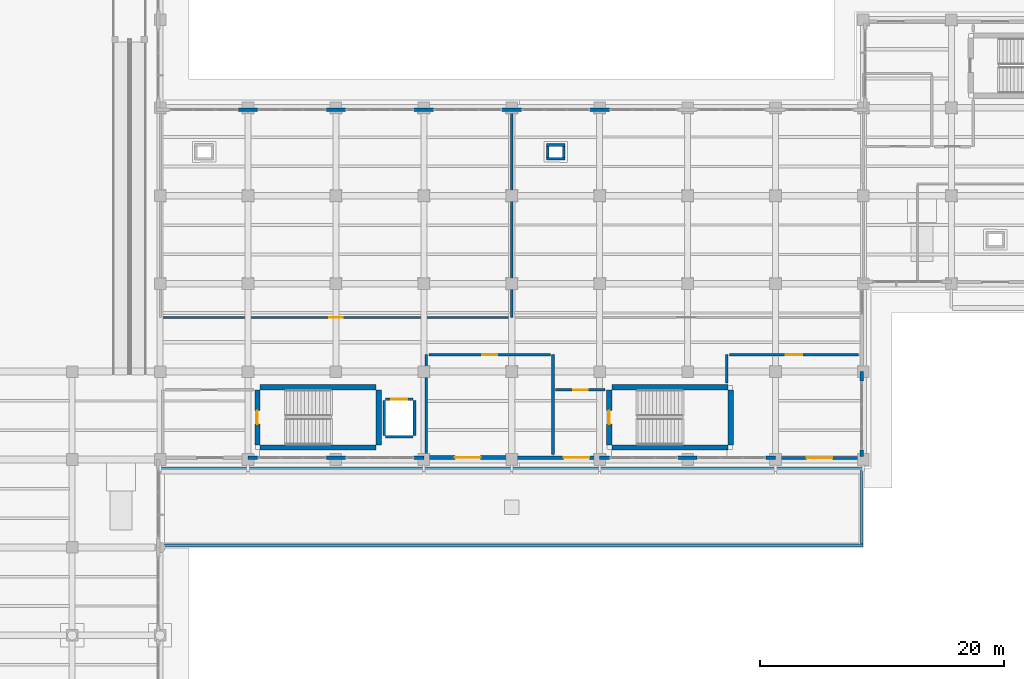
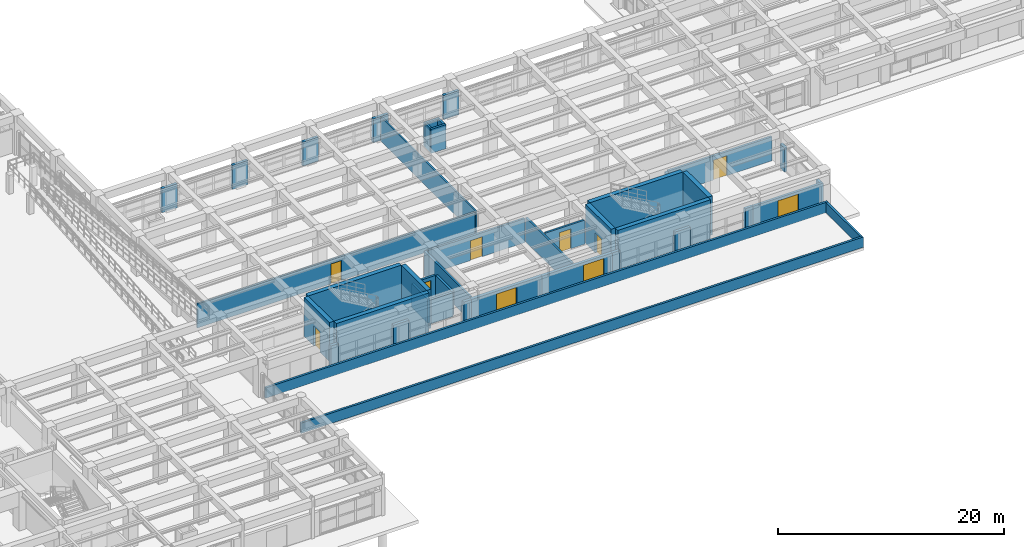
# One storey, part 42 of 64: 43 walls, 10 doors, 10 openings.
"""IFC4 building model written with IfcOpenShell, lengths in metres."""

from ifc_helpers import new_model, si_unit, direction, frame, frame_2d, origin, place, context, subcontext, project, spatial, rectangle, extrude, material, layer, layer_set, type_object, element, fill, save


model = new_model("IFC4")

# Units and contexts
model_context = context("Model", 3, precision=1e-05, world=origin(), true_north=direction((0.0, 1.0)))
body_context = subcontext(model_context, "Body", "Model", "MODEL_VIEW")
ifc_project = project(units=[si_unit("LENGTHUNIT", "METRE"), si_unit("AREAUNIT", "SQUARE_METRE"), si_unit("VOLUMEUNIT", "CUBIC_METRE"), si_unit("PLANEANGLEUNIT", "RADIAN"), si_unit("MASSUNIT", "GRAM", prefix="KILO")], contexts=[model_context])

# Site, building, storey
site_placement = place(None, origin())
site = spatial("IfcSite", under=ifc_project, at=site_placement, CompositionType="ELEMENT")
building_placement = place(site_placement, origin())
building = spatial("IfcBuilding", under=site, at=building_placement, Name="Solenvale Faculty of Natural Sciences", CompositionType="ELEMENT")
storey_placement = place(building_placement, origin())
storey = spatial("IfcBuildingStorey", under=building, at=storey_placement, Name="L00", CompositionType="ELEMENT", Elevation=0.0)

# Wall, opening, door
ifc_material_1 = material(Name="Precast concrete 40 MPa", Category="concrete")
ifc_layer_1 = layer(ifc_material_1, 0.2451171875)
ifc_layer_set_1 = layer_set([ifc_layer_1], Name="Precast concrete 40 MPa")
wall_type_1 = type_object("IfcWallType", Name="WL-EXT-PRC-245", PredefinedType="STANDARD", material=ifc_layer_set_1)
wall_1_placement = place(storey_placement, frame((115.199951171875, 21.722412109375, 0.0), z_axis=(0.0, 0.0, 1.0), x_axis=(-1.0, 0.0, 0.0)))
wall_1 = element("IfcWall", 1, at=wall_1_placement, inside=storey, type_object=wall_type_1, Name="L00 Exterior Wall 3.8", PredefinedType="STANDARD", context=body_context, shape_type="SweptSolid", body=[
    extrude(rectangle(XDim=7.199951171875, YDim=0.2451171875, at=frame_2d((3.60009765625, 0.0))), origin(), (0.0, 0.0, 1.0), 2.60009765625),
])
opening_1_placement = place(wall_1_placement, frame((2.550048828125, 0.0, 0.0)))
opening_1 = element("IfcOpeningElement", 2, at=opening_1_placement, cuts=wall_1, Name="Opening EX-04", PredefinedType="OPENING", context=body_context, shape_type="SweptSolid", body=[
    extrude(rectangle(XDim=2.10009765625, YDim=2.300048828125, at=frame_2d((1.050048828125, 1.14990234375))), frame((0.0, 0.132568359375, 0.0), z_axis=(0.0, -1.0, 0.0), x_axis=(1.0, 0.0, 0.0)), (0.0, 0.0, 1.0), 0.26513671875),
])
ifc_material_2 = material(Name="Anodised bronze aluminium", Category="aluminium")
door_type_1 = type_object("IfcDoorType", Name="DR-EXT-2100x2300", OperationType="NOTDEFINED", PredefinedType="DOOR", material=ifc_material_2)
door_1_placement = place(opening_1_placement, origin())
door_1 = element("IfcDoor", 3, at=door_1_placement, inside=storey, type_object=door_type_1, Name="L00 Exterior Exit Door EX-04", OperationType="DOUBLE_DOOR_SINGLE_SWING", OverallHeight=2.300048828125, OverallWidth=2.10009765625, PredefinedType="DOOR", context=body_context, shape_type="SweptSolid", body=[
    extrude(rectangle(XDim=2.10009765625, YDim=2.300048828125, at=frame_2d((1.050048828125, 1.14990234375))), frame((0.0, 0.02490234375, 0.0), z_axis=(0.0, -1.0, 0.0), x_axis=(1.0, 0.0, 0.0)), (0.0, 0.0, 1.0), 0.050048828125),
])
fill(opening_1, door_1)

# Walls
ifc_layer_2 = layer(ifc_material_1, 0.284912109375)
ifc_layer_set_2 = layer_set([ifc_layer_2], Name="Precast concrete 40 MPa")
wall_type_2 = type_object("IfcWallType", Name="WL-EXT-PRC-285", PredefinedType="STANDARD", material=ifc_layer_set_2)
wall_2_placement = place(storey_placement, frame((64.800048828125, 21.742431640625, 0.0), z_axis=(0.0, 0.0, 1.0), x_axis=(1.0, 0.0, 0.0)))
element("IfcWall", 4, at=wall_2_placement, inside=storey, type_object=wall_type_2, Name="L00 Facade Closure Pier 3.B2-L", PredefinedType="STANDARD", context=body_context, shape_type="SweptSolid", body=[
    extrude(rectangle(XDim=0.787841796875, YDim=0.284912109375, at=frame_2d((0.39404296875, 0.0))), origin(), (0.0, 0.0, 1.0), 2.60009765625),
])
wall_3_placement = place(storey_placement, frame((71.2119140625, 21.742431640625, 0.0), z_axis=(0.0, 0.0, 1.0), x_axis=(1.0, 0.0, 0.0)))
element("IfcWall", 5, at=wall_3_placement, inside=storey, type_object=wall_type_2, Name="L00 Facade Closure Pier 3.B2-R", PredefinedType="STANDARD", context=body_context, shape_type="SweptSolid", body=[
    extrude(rectangle(XDim=1.576171875, YDim=0.284912109375, at=frame_2d((0.7880859375, 0.0))), origin(), (0.0, 0.0, 1.0), 2.60009765625),
])
for number, where, z_axis, x_axis, name in (
    (6, (78.412109375, 21.742431640625, 0.0), (0.0, 0.0, 1.0), (1.0, 0.0, 0.0), "L00 Facade Closure Pier 3.B3-R"),
    (7, (93.60009765625, 21.742431640625, 0.0), (0.0, 0.0, 1.0), (1.0, 0.0, 0.0), "L00 Facade Closure Pier 3.B6-L"),
):
    element("IfcWall", number, at=place(storey_placement, frame(where, z_axis=z_axis, x_axis=x_axis)), inside=storey, type_object=wall_type_2, Name=name, PredefinedType="STANDARD", context=body_context, shape_type="SweptSolid", body=[
        extrude(rectangle(XDim=0.787841796875, YDim=0.284912109375, at=frame_2d((0.39404296875, 0.0))), origin(), (0.0, 0.0, 1.0), 2.60009765625),
    ])
wall_4_placement = place(storey_placement, frame((100.011962890625, 21.742431640625, 0.0), z_axis=(0.0, 0.0, 1.0), x_axis=(1.0, 0.0, 0.0)))
element("IfcWall", 8, at=wall_4_placement, inside=storey, type_object=wall_type_2, Name="L00 Facade Closure Pier 3.B6-R", PredefinedType="STANDARD", context=body_context, shape_type="SweptSolid", body=[
    extrude(rectangle(XDim=1.575927734375, YDim=0.284912109375, at=frame_2d((0.7880859375, 0.0))), origin(), (0.0, 0.0, 1.0), 2.60009765625),
])
wall_5_placement = place(storey_placement, frame((107.2119140625, 21.742431640625, 0.0), z_axis=(0.0, 0.0, 1.0), x_axis=(1.0, 0.0, 0.0)))
element("IfcWall", 9, at=wall_5_placement, inside=storey, type_object=wall_type_2, Name="L00 Facade Closure Pier 3.B7-R", PredefinedType="STANDARD", context=body_context, shape_type="SweptSolid", body=[
    extrude(rectangle(XDim=0.7880859375, YDim=0.284912109375, at=frame_2d((0.39404296875, 0.0))), origin(), (0.0, 0.0, 1.0), 2.60009765625),
])
wall_6_placement = place(storey_placement, frame((115.0576171875, 21.844970703125, 0.0), z_axis=(0.0, 0.0, 1.0), x_axis=(0.0, 1.0, 0.0)))
element("IfcWall", 10, at=wall_6_placement, inside=storey, type_object=wall_type_2, Name="L00 Facade Closure Pier 4.B1-L", PredefinedType="STANDARD", context=body_context, shape_type="SweptSolid", body=[
    extrude(rectangle(XDim=0.54296875, YDim=0.284912109375, at=frame_2d((0.271484375, 0.0))), origin(), (0.0, 0.0, 1.0), 2.60009765625),
])
wall_7_placement = place(storey_placement, frame((115.0576171875, 28.011962890625, 0.0), z_axis=(0.0, 0.0, 1.0), x_axis=(0.0, 1.0, 0.0)))
element("IfcWall", 11, at=wall_7_placement, inside=storey, type_object=wall_type_2, Name="L00 Facade Closure Pier 4.B1-R", PredefinedType="STANDARD", context=body_context, shape_type="SweptSolid", body=[
    extrude(rectangle(XDim=0.7880859375, YDim=0.284912109375, at=frame_2d((0.39404296875, 0.0))), origin(), (0.0, 0.0, 1.0), 2.60009765625),
])
for number, where, z_axis, x_axis, name in (
    (12, (94.387939453125, 50.257568359375, 0.0), (0.0, 0.0, 1.0), (-1.0, 0.0, 0.0), "L00 Facade Closure Pier 9.B3-R"),
    (13, (87.18798828125, 50.257568359375, 0.0), (0.0, 0.0, 1.0), (-1.0, 0.0, 0.0), "L00 Facade Closure Pier 9.B4-R"),
    (14, (79.988037109375, 50.257568359375, 0.0), (0.0, 0.0, 1.0), (-1.0, 0.0, 0.0), "L00 Facade Closure Pier 9.B5-R"),
):
    element("IfcWall", number, at=place(storey_placement, frame(where, z_axis=z_axis, x_axis=x_axis)), inside=storey, type_object=wall_type_2, Name=name, PredefinedType="STANDARD", context=body_context, shape_type="SweptSolid", body=[
        extrude(rectangle(XDim=1.575927734375, YDim=0.284912109375, at=frame_2d((0.7880859375, 0.0))), origin(), (0.0, 0.0, 1.0), 2.60009765625),
    ])
wall_8_placement = place(storey_placement, frame((72.7880859375, 50.257568359375, 0.0), z_axis=(0.0, 0.0, 1.0), x_axis=(-1.0, 0.0, 0.0)))
element("IfcWall", 15, at=wall_8_placement, inside=storey, type_object=wall_type_2, Name="L00 Facade Closure Pier 9.B6-R", PredefinedType="STANDARD", context=body_context, shape_type="SweptSolid", body=[
    extrude(rectangle(XDim=1.576171875, YDim=0.284912109375, at=frame_2d((0.7880859375, 0.0))), origin(), (0.0, 0.0, 1.0), 2.60009765625),
])
wall_9_placement = place(storey_placement, frame((65.587890625, 50.257568359375, 0.0), z_axis=(0.0, 0.0, 1.0), x_axis=(-1.0, 0.0, 0.0)))
element("IfcWall", 16, at=wall_9_placement, inside=storey, type_object=wall_type_2, Name="L00 Facade Closure Pier 9.B7-R", PredefinedType="STANDARD", context=body_context, shape_type="SweptSolid", body=[
    extrude(rectangle(XDim=1.575927734375, YDim=0.284912109375, at=frame_2d((0.7880859375, 0.0))), origin(), (0.0, 0.0, 1.0), 2.60009765625),
])

# Wall, opening, door
ifc_layer_3 = layer(ifc_material_1, 0.304931640625)
ifc_layer_set_3 = layer_set([ifc_layer_3], Name="Precast concrete 40 MPa")
wall_type_3 = type_object("IfcWallType", Name="WL-EXT-PRC-305", PredefinedType="STANDARD", material=ifc_layer_set_3)
wall_10_placement = place(storey_placement, frame((93.60009765625, 21.75244140625, 0.0), z_axis=(0.0, 0.0, 1.0), x_axis=(-1.0, 0.0, 0.0)))
wall_10 = element("IfcWall", 17, at=wall_10_placement, inside=storey, type_object=wall_type_3, Name="L00 Exterior Wall 3.5", PredefinedType="STANDARD", context=body_context, shape_type="SweptSolid", body=[
    extrude(rectangle(XDim=7.2001953125, YDim=0.304931640625, at=frame_2d((3.60009765625, 0.0))), origin(), (0.0, 0.0, 1.0), 2.60009765625),
])
opening_2_placement = place(wall_10_placement, frame((0.85009765625, 0.0, 0.0)))
opening_2 = element("IfcOpeningElement", 18, at=opening_2_placement, cuts=wall_10, Name="Opening EX-03", PredefinedType="OPENING", context=body_context, shape_type="SweptSolid", body=[
    extrude(rectangle(XDim=2.10009765625, YDim=2.300048828125, at=frame_2d((1.050048828125, 1.14990234375))), frame((0.0, 0.162353515625, 0.0), z_axis=(0.0, -1.0, 0.0), x_axis=(1.0, 0.0, 0.0)), (0.0, 0.0, 1.0), 0.324951171875),
])
door_2_placement = place(opening_2_placement, origin())
door_2 = element("IfcDoor", 19, at=door_2_placement, inside=storey, type_object=door_type_1, Name="L00 Exterior Exit Door EX-03", OperationType="DOUBLE_DOOR_SINGLE_SWING", OverallHeight=2.300048828125, OverallWidth=2.10009765625, PredefinedType="DOOR", context=body_context, shape_type="SweptSolid", body=[
    extrude(rectangle(XDim=2.10009765625, YDim=2.300048828125, at=frame_2d((1.050048828125, 1.14990234375))), frame((0.0, 0.02490234375, 0.0), z_axis=(0.0, -1.0, 0.0), x_axis=(1.0, 0.0, 0.0)), (0.0, 0.0, 1.0), 0.050048828125),
])
fill(opening_2, door_2)

ifc_layer_4 = layer(ifc_material_1, 0.330078125)
ifc_layer_set_4 = layer_set([ifc_layer_4], Name="Precast concrete 40 MPa")
wall_type_4 = type_object("IfcWallType", Name="WL-EXT-PRC-330", PredefinedType="STANDARD", material=ifc_layer_set_4)
wall_11_placement = place(storey_placement, frame((86.39990234375, 21.764892578125, 0.0), z_axis=(0.0, 0.0, 1.0), x_axis=(-1.0, 0.0, 0.0)))
wall_11 = element("IfcWall", 20, at=wall_11_placement, inside=storey, type_object=wall_type_4, Name="L00 Exterior Wall 3.4", PredefinedType="STANDARD", context=body_context, shape_type="SweptSolid", body=[
    extrude(rectangle(XDim=7.199951171875, YDim=0.330078125, at=frame_2d((3.60009765625, 0.0))), origin(), (0.0, 0.0, 1.0), 2.60009765625),
])
opening_3_placement = place(wall_11_placement, frame((2.550048828125, 0.0, 0.0)))
opening_3 = element("IfcOpeningElement", 21, at=opening_3_placement, cuts=wall_11, Name="Opening EX-02", PredefinedType="OPENING", context=body_context, shape_type="SweptSolid", body=[
    extrude(rectangle(XDim=2.10009765625, YDim=2.300048828125, at=frame_2d((1.050048828125, 1.14990234375))), frame((0.0, 0.175048828125, 0.0), z_axis=(0.0, -1.0, 0.0), x_axis=(1.0, 0.0, 0.0)), (0.0, 0.0, 1.0), 0.35009765625),
])
door_3_placement = place(opening_3_placement, origin())
door_3 = element("IfcDoor", 22, at=door_3_placement, inside=storey, type_object=door_type_1, Name="L00 Exterior Exit Door EX-02", OperationType="DOUBLE_DOOR_SINGLE_SWING", OverallHeight=2.300048828125, OverallWidth=2.10009765625, PredefinedType="DOOR", context=body_context, shape_type="SweptSolid", body=[
    extrude(rectangle(XDim=2.10009765625, YDim=2.300048828125, at=frame_2d((1.050048828125, 1.14990234375))), frame((0.0, 0.02490234375, 0.0), z_axis=(0.0, -1.0, 0.0), x_axis=(1.0, 0.0, 0.0)), (0.0, 0.0, 1.0), 0.050048828125),
])
fill(opening_3, door_3)

ifc_material_3 = material(Name="Gypsum fire-rated shaftwall")
ifc_layer_5 = layer(ifc_material_3, 0.205078125)
ifc_layer_set_5 = layer_set([ifc_layer_5], Name="Gypsum fire-rated shaftwall")
wall_type_5 = type_object("IfcWallType", Name="WL-FFL-205", PredefinedType="PARTITIONING", material=ifc_layer_set_5)
wall_12_placement = place(storey_placement, frame((90.0009765625, 27.300048828125, 0.0), z_axis=(0.0, 0.0, 1.0), x_axis=(1.0, 0.0, 0.0)))
wall_12 = element("IfcWall", 23, at=wall_12_placement, inside=storey, type_object=wall_type_5, Name="L00 Protected Exit Vestibule ST-07 Partition 4", PredefinedType="PARTITIONING", context=body_context, shape_type="SweptSolid", body=[
    extrude(rectangle(XDim=4.0439453125, YDim=0.205078125, at=frame_2d((2.02197265625, 0.0))), origin(), (0.0, 0.0, 1.0), 2.60009765625),
])
opening_4_placement = place(wall_12_placement, frame((1.422119140625, 0.0, 0.0)))
opening_4 = element("IfcOpeningElement", 24, at=opening_4_placement, cuts=wall_12, Name="Opening D-L00-31", PredefinedType="OPENING", context=body_context, shape_type="SweptSolid", body=[
    extrude(rectangle(XDim=1.199951171875, YDim=2.14990234375, at=frame_2d((0.60009765625, 1.074951171875))), frame((0.0, 0.112548828125, 0.0), z_axis=(0.0, -1.0, 0.0), x_axis=(1.0, 0.0, 0.0)), (0.0, 0.0, 1.0), 0.22509765625),
])
ifc_material_4 = material(Name="Galvanised steel S355", Category="steel")
door_type_2 = type_object("IfcDoorType", Name="DR-FFL-1200x2150", OperationType="NOTDEFINED", PredefinedType="DOOR", material=ifc_material_4)
door_4_placement = place(opening_4_placement, origin())
door_4 = element("IfcDoor", 25, at=door_4_placement, inside=storey, type_object=door_type_2, Name="L00 Protected Exit Vestibule ST-07 Door", OperationType="SINGLE_SWING_LEFT", OverallHeight=2.14990234375, OverallWidth=1.199951171875, PredefinedType="DOOR", context=body_context, shape_type="SweptSolid", body=[
    extrude(rectangle(XDim=1.199951171875, YDim=2.14990234375, at=frame_2d((0.60009765625, 1.074951171875))), frame((0.0, 0.02490234375, 0.0), z_axis=(0.0, -1.0, 0.0), x_axis=(1.0, 0.0, 0.0)), (0.0, 0.0, 1.0), 0.050048828125),
])
fill(opening_4, door_4)

# Walls
ifc_material_5 = material(Name="Gypsum fire-rated laboratory partition")
ifc_layer_6 = layer(ifc_material_5, 0.2119140625)
ifc_layer_set_6 = layer_set([ifc_layer_6], Name="Gypsum fire-rated laboratory partition")
wall_type_6 = type_object("IfcWallType", Name="WL-LAB-212", PredefinedType="PARTITIONING", material=ifc_layer_set_6)
wall_13_placement = place(storey_placement, frame((89.780029296875, 30.179931640625, 0.0), z_axis=(0.0, 0.0, 1.0), x_axis=(0.0, -1.0, 0.0)))
element("IfcWall", 26, at=wall_13_placement, inside=storey, type_object=wall_type_6, Name="L00 General Chemistry Teaching Laboratory Partition 1", PredefinedType="PARTITIONING", context=body_context, shape_type="SweptSolid", body=[
    extrude(rectangle(XDim=8.156982421875, YDim=0.2119140625, at=frame_2d((4.07861328125, 0.0))), origin(), (0.0, 0.0, 1.0), 2.60009765625),
])
wall_14_placement = place(storey_placement, frame((79.39990234375, 22.048095703125, 0.0), z_axis=(0.0, 0.0, 1.0), x_axis=(0.0, 1.0, 0.0)))
element("IfcWall", 27, at=wall_14_placement, inside=storey, type_object=wall_type_6, Name="L00 General Chemistry Teaching Laboratory Partition 3", PredefinedType="PARTITIONING", context=body_context, shape_type="SweptSolid", body=[
    extrude(rectangle(XDim=8.1318359375, YDim=0.2119140625, at=frame_2d((4.06591796875, 0.0))), origin(), (0.0, 0.0, 1.0), 2.60009765625),
])

# Wall, opening, door
wall_15_placement = place(storey_placement, frame((79.6240234375, 30.179931640625, 0.0), z_axis=(0.0, 0.0, 1.0), x_axis=(1.0, 0.0, 0.0)))
wall_15 = element("IfcWall", 28, at=wall_15_placement, inside=storey, type_object=wall_type_6, Name="L00 General Chemistry Teaching Laboratory Partition 4", PredefinedType="PARTITIONING", context=body_context, shape_type="SweptSolid", body=[
    extrude(rectangle(XDim=9.931884765625, YDim=0.2119140625, at=frame_2d((4.9658203125, 0.0))), origin(), (0.0, 0.0, 1.0), 2.60009765625),
])
opening_5_placement = place(wall_15_placement, frame((4.341064453125, 0.0, 0.0)))
opening_5 = element("IfcOpeningElement", 29, at=opening_5_placement, cuts=wall_15, Name="Opening D-L00-10", PredefinedType="OPENING", context=body_context, shape_type="SweptSolid", body=[
    extrude(rectangle(XDim=1.25, YDim=2.14990234375, at=frame_2d((0.625, 1.074951171875))), frame((0.0, 0.115966796875, 0.0), z_axis=(0.0, -1.0, 0.0), x_axis=(1.0, 0.0, 0.0)), (0.0, 0.0, 1.0), 0.23193359375),
])
ifc_material_6 = material(Name="Oak acoustic timber leaf", Category="wood")
door_type_3 = type_object("IfcDoorType", Name="DR-LAB-1250x2150", OperationType="NOTDEFINED", PredefinedType="DOOR", material=ifc_material_6)
door_5_placement = place(opening_5_placement, origin())
door_5 = element("IfcDoor", 30, at=door_5_placement, inside=storey, type_object=door_type_3, Name="L00 General Chemistry Teaching Laboratory Door", OperationType="SINGLE_SWING_RIGHT", OverallHeight=2.14990234375, OverallWidth=1.25, PredefinedType="DOOR", context=body_context, shape_type="SweptSolid", body=[
    extrude(rectangle(XDim=1.25, YDim=2.14990234375, at=frame_2d((0.625, 1.074951171875))), frame((0.0, 0.02490234375, 0.0), z_axis=(0.0, -1.0, 0.0), x_axis=(1.0, 0.0, 0.0)), (0.0, 0.0, 1.0), 0.050048828125),
])
fill(opening_5, door_5)

# Wall
ifc_layer_7 = layer(ifc_material_5, 0.22802734375)
ifc_layer_set_7 = layer_set([ifc_layer_7], Name="Gypsum fire-rated laboratory partition")
wall_type_7 = type_object("IfcWallType", Name="WL-LAB-228", PredefinedType="PARTITIONING", material=ifc_layer_set_7)
wall_16_placement = place(storey_placement, frame((104.0, 27.865966796875, 0.0), z_axis=(0.0, 0.0, 1.0), x_axis=(0.0, 1.0, 0.0)))
element("IfcWall", 31, at=wall_16_placement, inside=storey, type_object=wall_type_7, Name="L00 Analytical Chemistry Laboratory Partition 39", PredefinedType="PARTITIONING", context=body_context, shape_type="SweptSolid", body=[
    extrude(rectangle(XDim=2.31396484375, YDim=0.22802734375, at=frame_2d((1.156982421875, 0.0))), origin(), (0.0, 0.0, 1.0), 2.60009765625),
])

# Wall, opening, door
wall_17_placement = place(storey_placement, frame((104.239990234375, 30.179931640625, 0.0), z_axis=(0.0, 0.0, 1.0), x_axis=(1.0, 0.0, 0.0)))
wall_17 = element("IfcWall", 32, at=wall_17_placement, inside=storey, type_object=wall_type_7, Name="L00 Analytical Chemistry Laboratory Partition 40", PredefinedType="PARTITIONING", context=body_context, shape_type="SweptSolid", body=[
    extrude(rectangle(XDim=10.569091796875, YDim=0.22802734375, at=frame_2d((5.28466796875, 0.0))), origin(), (0.0, 0.0, 1.0), 2.60009765625),
])
opening_6_placement = place(wall_17_placement, frame((4.610107421875, 0.0, 0.0)))
opening_6 = element("IfcOpeningElement", 33, at=opening_6_placement, cuts=wall_17, Name="Opening D-L00-11", PredefinedType="OPENING", context=body_context, shape_type="SweptSolid", body=[
    extrude(rectangle(XDim=1.35009765625, YDim=2.14990234375, at=frame_2d((0.675048828125, 1.074951171875))), frame((0.0, 0.1240234375, 0.0), z_axis=(0.0, -1.0, 0.0), x_axis=(1.0, 0.0, 0.0)), (0.0, 0.0, 1.0), 0.248046875),
])
door_type_4 = type_object("IfcDoorType", Name="DR-LAB-1350x2150", OperationType="NOTDEFINED", PredefinedType="DOOR", material=ifc_material_6)
door_6_placement = place(opening_6_placement, origin())
door_6 = element("IfcDoor", 34, at=door_6_placement, inside=storey, type_object=door_type_4, Name="L00 Analytical Chemistry Laboratory Door", OperationType="SINGLE_SWING_LEFT", OverallHeight=2.14990234375, OverallWidth=1.35009765625, PredefinedType="DOOR", context=body_context, shape_type="SweptSolid", body=[
    extrude(rectangle(XDim=1.35009765625, YDim=2.14990234375, at=frame_2d((0.675048828125, 1.074951171875))), frame((0.0, 0.02490234375, 0.0), z_axis=(0.0, -1.0, 0.0), x_axis=(1.0, 0.0, 0.0)), (0.0, 0.0, 1.0), 0.050048828125),
])
fill(opening_6, door_6)

# Walls
ifc_layer_8 = layer(ifc_material_1, 0.219970703125)
ifc_layer_set_8 = layer_set([ifc_layer_8], Name="Precast concrete 40 MPa")
wall_type_8 = type_object("IfcWallType", Name="WL-PAR-PRC-220", PredefinedType="PARAPET", material=ifc_layer_set_8)
wall_18_placement = place(storey_placement, frame((57.639892578125, 20.830078125, 0.0), z_axis=(0.0, 0.0, 1.0), x_axis=(1.0, 0.0, 0.0)))
element("IfcWall", 35, at=wall_18_placement, inside=storey, type_object=wall_type_8, Name="L00 Roof Parapet 1.2", PredefinedType="PARAPET", context=body_context, shape_type="SweptSolid", body=[
    extrude(rectangle(XDim=57.52001953125, YDim=0.219970703125, at=frame_2d((28.760009765625, 0.0))), origin(), (0.0, 0.0, 1.0), 1.1201171875),
])
wall_19_placement = place(storey_placement, frame((115.050048828125, 20.719970703125, 0.0), z_axis=(0.0, 0.0, 1.0), x_axis=(0.0, -1.0, 0.0)))
element("IfcWall", 36, at=wall_19_placement, inside=storey, type_object=wall_type_8, Name="L00 Roof Parapet 1.3", PredefinedType="PARAPET", context=body_context, shape_type="SweptSolid", body=[
    extrude(rectangle(XDim=6.06005859375, YDim=0.219970703125, at=frame_2d((3.030029296875, 0.0))), origin(), (0.0, 0.0, 1.0), 1.1201171875),
])
wall_20_placement = place(storey_placement, frame((115.159912109375, 14.550048828125, 0.0), z_axis=(0.0, 0.0, 1.0), x_axis=(-1.0, 0.0, 0.0)))
element("IfcWall", 37, at=wall_20_placement, inside=storey, type_object=wall_type_8, Name="L00 Roof Parapet 1.4", PredefinedType="PARAPET", context=body_context, shape_type="SweptSolid", body=[
    extrude(rectangle(XDim=57.52001953125, YDim=0.219970703125, at=frame_2d((28.760009765625, 0.0))), origin(), (0.0, 0.0, 1.0), 1.1201171875),
])
ifc_material_7 = material(Name="Acoustic double-stud gypsum partition")
ifc_layer_9 = layer(ifc_material_7, 0.1650390625)
ifc_layer_set_9 = layer_set([ifc_layer_9], Name="Acoustic double-stud gypsum partition")
wall_type_9 = type_object("IfcWallType", Name="WL-SEM-165", PredefinedType="PARTITIONING", material=ifc_layer_set_9)
wall_21_placement = place(storey_placement, frame((86.39990234375, 50.02099609375, 0.0), z_axis=(0.0, 0.0, 1.0), x_axis=(0.0, -1.0, 0.0)))
element("IfcWall", 38, at=wall_21_placement, inside=storey, type_object=wall_type_9, Name="L00 Seminar Room Partition 3", PredefinedType="PARTITIONING", context=body_context, shape_type="SweptSolid", body=[
    extrude(rectangle(XDim=16.801025390625, YDim=0.1650390625, at=frame_2d((8.400390625, 0.0))), origin(), (0.0, 0.0, 1.0), 2.60009765625),
])

# Wall, opening, door
wall_22_placement = place(storey_placement, frame((86.222900390625, 33.219970703125, 0.0), z_axis=(0.0, 0.0, 1.0), x_axis=(-1.0, 0.0, 0.0)))
wall_22 = element("IfcWall", 39, at=wall_22_placement, inside=storey, type_object=wall_type_9, Name="L00 Seminar Room Partition 4", PredefinedType="PARTITIONING", context=body_context, shape_type="SweptSolid", body=[
    extrude(rectangle(XDim=28.42578125, YDim=0.1650390625, at=frame_2d((14.212890625, 0.0))), origin(), (0.0, 0.0, 1.0), 2.60009765625),
])
opening_7_placement = place(wall_22_placement, frame((13.673095703125, 0.0, 0.0)))
opening_7 = element("IfcOpeningElement", 40, at=opening_7_placement, cuts=wall_22, Name="Opening D-L00-12", PredefinedType="OPENING", context=body_context, shape_type="SweptSolid", body=[
    extrude(rectangle(XDim=1.080078125, YDim=2.14990234375, at=frame_2d((0.5400390625, 1.074951171875))), frame((0.0, 0.092529296875, 0.0), z_axis=(0.0, -1.0, 0.0), x_axis=(1.0, 0.0, 0.0)), (0.0, 0.0, 1.0), 0.18505859375),
])
door_type_5 = type_object("IfcDoorType", Name="DR-SEM-1080x2150", OperationType="NOTDEFINED", PredefinedType="DOOR", material=ifc_material_6)
door_7_placement = place(opening_7_placement, origin())
door_7 = element("IfcDoor", 41, at=door_7_placement, inside=storey, type_object=door_type_5, Name="L00 Seminar Room Door", OperationType="SINGLE_SWING_RIGHT", OverallHeight=2.14990234375, OverallWidth=1.080078125, PredefinedType="DOOR", context=body_context, shape_type="SweptSolid", body=[
    extrude(rectangle(XDim=1.080078125, YDim=2.14990234375, at=frame_2d((0.5400390625, 1.074951171875))), frame((0.0, 0.02490234375, 0.0), z_axis=(0.0, -1.0, 0.0), x_axis=(1.0, 0.0, 0.0)), (0.0, 0.0, 1.0), 0.050048828125),
])
fill(opening_7, door_7)

# Wall
ifc_material_8 = material(Name="Concrete 40 MPa", Category="concrete")
ifc_layer_10 = layer(ifc_material_8, 0.219970703125)
ifc_layer_set_10 = layer_set([ifc_layer_10], Name="Concrete 40 MPa")
wall_type_10 = type_object("IfcWallType", Name="WL-SHF-220", PredefinedType="STANDARD", material=ifc_layer_set_10)
wall_23_placement = place(storey_placement, frame((76.080078125, 23.469970703125, 0.0), z_axis=(0.0, 0.0, 1.0), x_axis=(1.0, 0.0, 0.0)))
element("IfcWall", 42, at=wall_23_placement, inside=storey, type_object=wall_type_10, Name="Elevator LG-01 L00 Shaft Wall S", PredefinedType="STANDARD", context=body_context, shape_type="SweptSolid", body=[
    extrude(rectangle(XDim=2.239990234375, YDim=0.219970703125, at=frame_2d((1.1201171875, 0.0))), origin(), (0.0, 0.0, 1.0), 2.60009765625),
])

# Wall, opening, door
wall_24_placement = place(storey_placement, frame((76.080078125, 26.530029296875, 0.0), z_axis=(0.0, 0.0, 1.0), x_axis=(1.0, 0.0, 0.0)))
wall_24 = element("IfcWall", 43, at=wall_24_placement, inside=storey, type_object=wall_type_10, Name="Elevator LG-01 L00 Shaft Wall N", PredefinedType="STANDARD", context=body_context, shape_type="SweptSolid", body=[
    extrude(rectangle(XDim=2.239990234375, YDim=0.219970703125, at=frame_2d((1.1201171875, 0.0))), origin(), (0.0, 0.0, 1.0), 2.60009765625),
])
opening_8_placement = place(wall_24_placement, frame((0.469970703125, 0.0, 0.0)))
opening_8 = element("IfcOpeningElement", 44, at=opening_8_placement, cuts=wall_24, Name="Opening LD-LG-01-L00", PredefinedType="OPENING", context=body_context, shape_type="SweptSolid", body=[
    extrude(rectangle(XDim=1.300048828125, YDim=2.199951171875, at=frame_2d((0.64990234375, 1.10009765625))), frame((0.0, 0.119873046875, 0.0), z_axis=(0.0, -1.0, 0.0), x_axis=(1.0, 0.0, 0.0)), (0.0, 0.0, 1.0), 0.239990234375),
])
ifc_material_9 = material(Name="Stainless steel Grade 304", Category="steel")
door_type_6 = type_object("IfcDoorType", Name="DR-LIFT-1300x2200", OperationType="NOTDEFINED", PredefinedType="DOOR", material=ifc_material_9)
door_8_placement = place(opening_8_placement, origin())
door_8 = element("IfcDoor", 45, at=door_8_placement, inside=storey, type_object=door_type_6, Name="Elevator LG-01 L00 Sliding Landing Door", OperationType="SLIDING_TO_RIGHT", OverallHeight=2.199951171875, OverallWidth=1.300048828125, PredefinedType="DOOR", context=body_context, shape_type="SweptSolid", body=[
    extrude(rectangle(XDim=1.300048828125, YDim=2.199951171875, at=frame_2d((0.64990234375, 1.10009765625))), frame((0.0, 0.02490234375, 0.0), z_axis=(0.0, -1.0, 0.0), x_axis=(1.0, 0.0, 0.0)), (0.0, 0.0, 1.0), 0.050048828125),
])
fill(opening_8, door_8)

# Walls
for number, where, z_axis, x_axis, name in (
    (46, (75.969970703125, 23.580078125, 0.0), (0.0, 0.0, 1.0), (0.0, 1.0, 0.0), "Elevator LG-01 L00 Shaft Wall W"),
    (47, (78.429931640625, 23.580078125, 0.0), (0.0, 0.0, 1.0), (0.0, 1.0, 0.0), "Elevator LG-01 L00 Shaft Wall E"),
):
    element("IfcWall", number, at=place(storey_placement, frame(where, z_axis=z_axis, x_axis=x_axis)), inside=storey, type_object=wall_type_10, Name=name, PredefinedType="STANDARD", context=body_context, shape_type="SweptSolid", body=[
        extrude(rectangle(XDim=2.83984375, YDim=0.219970703125, at=frame_2d((1.419921875, 0.0))), origin(), (0.0, 0.0, 1.0), 2.60009765625),
    ])
for number, where, z_axis, x_axis, name in (
    (48, (89.22998046875, 46.239990234375, 0.0), (0.0, 0.0, 1.0), (1.0, 0.0, 0.0), "L00 Service Riser Shaft 6 Wall S"),
    (49, (89.22998046875, 47.360107421875, 0.0), (0.0, 0.0, 1.0), (1.0, 0.0, 0.0), "L00 Service Riser Shaft 6 Wall N"),
):
    element("IfcWall", number, at=place(storey_placement, frame(where, z_axis=z_axis, x_axis=x_axis)), inside=storey, type_object=wall_type_10, Name=name, PredefinedType="STANDARD", context=body_context, shape_type="SweptSolid", body=[
        extrude(rectangle(XDim=1.5400390625, YDim=0.219970703125, at=frame_2d((0.77001953125, 0.0))), origin(), (0.0, 0.0, 1.0), 2.60009765625),
    ])
for number, where, z_axis, x_axis, name in (
    (50, (89.340087890625, 46.35009765625, 0.0), (0.0, 0.0, 1.0), (0.0, 1.0, 0.0), "L00 Service Riser Shaft 6 Wall W"),
    (51, (90.659912109375, 46.35009765625, 0.0), (0.0, 0.0, 1.0), (0.0, 1.0, 0.0), "L00 Service Riser Shaft 6 Wall E"),
):
    element("IfcWall", number, at=place(storey_placement, frame(where, z_axis=z_axis, x_axis=x_axis)), inside=storey, type_object=wall_type_10, Name=name, PredefinedType="STANDARD", context=body_context, shape_type="SweptSolid", body=[
        extrude(rectangle(XDim=0.89990234375, YDim=0.219970703125, at=frame_2d((0.449951171875, 0.0))), origin(), (0.0, 0.0, 1.0), 2.60009765625),
    ])
ifc_material_10 = material(Name="Concrete 50 MPa", Category="concrete")
ifc_layer_11 = layer(ifc_material_10, 0.43994140625)
ifc_layer_set_11 = layer_set([ifc_layer_11], Name="Concrete 50 MPa")
wall_type_11 = type_object("IfcWallType", Name="WL-SHR-440", PredefinedType="SHEAR", material=ifc_layer_set_11)
for number, where, z_axis, x_axis, name in (
    (52, (65.800048828125, 22.580078125, 0.0), (0.0, 0.0, 1.0), (1.0, 0.0, 0.0), "Core C3 L00 Shear Wall S"),
    (53, (65.800048828125, 27.52001953125, 0.0), (0.0, 0.0, 1.0), (1.0, 0.0, 0.0), "Core C3 L00 Shear Wall N"),
):
    element("IfcWall", number, at=place(storey_placement, frame(where, z_axis=z_axis, x_axis=x_axis)), inside=storey, type_object=wall_type_11, Name=name, PredefinedType="SHEAR", context=body_context, shape_type="SweptSolid", body=[
        extrude(rectangle(XDim=9.5, YDim=0.43994140625, at=frame_2d((4.75, 0.0))), origin(), (0.0, 0.0, 1.0), 4.219970703125),
    ])

# Wall, opening, door
wall_25_placement = place(storey_placement, frame((65.580078125, 22.800048828125, 0.0), z_axis=(0.0, 0.0, 1.0), x_axis=(0.0, 1.0, 0.0)))
wall_25 = element("IfcWall", 54, at=wall_25_placement, inside=storey, type_object=wall_type_11, Name="Core C3 L00 Shear Wall W", PredefinedType="SHEAR", context=body_context, shape_type="SweptSolid", body=[
    extrude(rectangle(XDim=4.5, YDim=0.43994140625, at=frame_2d((2.25, 0.0))), origin(), (0.0, 0.0, 1.0), 4.219970703125),
])
opening_9_placement = place(wall_25_placement, frame((1.699951171875, 0.0, 0.0)))
opening_9 = element("IfcOpeningElement", 55, at=opening_9_placement, cuts=wall_25, Name="Opening DS-C3-L00", PredefinedType="OPENING", context=body_context, shape_type="SweptSolid", body=[
    extrude(rectangle(XDim=1.10009765625, YDim=2.14990234375, at=frame_2d((0.550048828125, 1.074951171875))), frame((0.0, 0.22998046875, 0.0), z_axis=(0.0, -1.0, 0.0), x_axis=(1.0, 0.0, 0.0)), (0.0, 0.0, 1.0), 0.4599609375),
])
door_type_7 = type_object("IfcDoorType", Name="DR-STAIR-1100x2150", OperationType="NOTDEFINED", PredefinedType="DOOR", material=ifc_material_4)
door_9_placement = place(opening_9_placement, origin())
door_9 = element("IfcDoor", 56, at=door_9_placement, inside=storey, type_object=door_type_7, Name="L00 Stair ST-03 Fire Door", OperationType="SINGLE_SWING_RIGHT", OverallHeight=2.14990234375, OverallWidth=1.10009765625, PredefinedType="DOOR", context=body_context, shape_type="SweptSolid", body=[
    extrude(rectangle(XDim=1.10009765625, YDim=2.14990234375, at=frame_2d((0.550048828125, 1.074951171875))), frame((0.0, 0.02490234375, 0.0), z_axis=(0.0, -1.0, 0.0), x_axis=(1.0, 0.0, 0.0)), (0.0, 0.0, 1.0), 0.050048828125),
])
fill(opening_9, door_9)

# Walls
wall_26_placement = place(storey_placement, frame((75.52001953125, 22.800048828125, 0.0), z_axis=(0.0, 0.0, 1.0), x_axis=(0.0, 1.0, 0.0)))
element("IfcWall", 57, at=wall_26_placement, inside=storey, type_object=wall_type_11, Name="Core C3 L00 Shear Wall E", PredefinedType="SHEAR", context=body_context, shape_type="SweptSolid", body=[
    extrude(rectangle(XDim=4.5, YDim=0.43994140625, at=frame_2d((2.25, 0.0))), origin(), (0.0, 0.0, 1.0), 4.219970703125),
])
for number, where, z_axis, x_axis, name in (
    (58, (94.60009765625, 22.580078125, 0.0), (0.0, 0.0, 1.0), (1.0, 0.0, 0.0), "Core C3B L00 Shear Wall S"),
    (59, (94.60009765625, 27.52001953125, 0.0), (0.0, 0.0, 1.0), (1.0, 0.0, 0.0), "Core C3B L00 Shear Wall N"),
):
    element("IfcWall", number, at=place(storey_placement, frame(where, z_axis=z_axis, x_axis=x_axis)), inside=storey, type_object=wall_type_11, Name=name, PredefinedType="SHEAR", context=body_context, shape_type="SweptSolid", body=[
        extrude(rectangle(XDim=9.5, YDim=0.43994140625, at=frame_2d((4.75, 0.0))), origin(), (0.0, 0.0, 1.0), 4.219970703125),
    ])

# Wall, opening, door
wall_27_placement = place(storey_placement, frame((94.3798828125, 22.800048828125, 0.0), z_axis=(0.0, 0.0, 1.0), x_axis=(0.0, 1.0, 0.0)))
wall_27 = element("IfcWall", 60, at=wall_27_placement, inside=storey, type_object=wall_type_11, Name="Core C3B L00 Shear Wall W", PredefinedType="SHEAR", context=body_context, shape_type="SweptSolid", body=[
    extrude(rectangle(XDim=4.5, YDim=0.43994140625, at=frame_2d((2.25, 0.0))), origin(), (0.0, 0.0, 1.0), 4.219970703125),
])
opening_10_placement = place(wall_27_placement, frame((1.699951171875, 0.0, 0.0)))
opening_10 = element("IfcOpeningElement", 61, at=opening_10_placement, cuts=wall_27, Name="Opening DS-C3B-L00", PredefinedType="OPENING", context=body_context, shape_type="SweptSolid", body=[
    extrude(rectangle(XDim=1.10009765625, YDim=2.14990234375, at=frame_2d((0.550048828125, 1.074951171875))), frame((0.0, 0.22998046875, 0.0), z_axis=(0.0, -1.0, 0.0), x_axis=(1.0, 0.0, 0.0)), (0.0, 0.0, 1.0), 0.4599609375),
])
door_10_placement = place(opening_10_placement, origin())
door_10 = element("IfcDoor", 62, at=door_10_placement, inside=storey, type_object=door_type_7, Name="L00 Stair ST-07 Fire Door", OperationType="SINGLE_SWING_RIGHT", OverallHeight=2.14990234375, OverallWidth=1.10009765625, PredefinedType="DOOR", context=body_context, shape_type="SweptSolid", body=[
    extrude(rectangle(XDim=1.10009765625, YDim=2.14990234375, at=frame_2d((0.550048828125, 1.074951171875))), frame((0.0, 0.02490234375, 0.0), z_axis=(0.0, -1.0, 0.0), x_axis=(1.0, 0.0, 0.0)), (0.0, 0.0, 1.0), 0.050048828125),
])
fill(opening_10, door_10)

# Wall
wall_28_placement = place(storey_placement, frame((104.320068359375, 22.800048828125, 0.0), z_axis=(0.0, 0.0, 1.0), x_axis=(0.0, 1.0, 0.0)))
element("IfcWall", 63, at=wall_28_placement, inside=storey, type_object=wall_type_11, Name="Core C3B L00 Shear Wall E", PredefinedType="SHEAR", context=body_context, shape_type="SweptSolid", body=[
    extrude(rectangle(XDim=4.5, YDim=0.43994140625, at=frame_2d((2.25, 0.0))), origin(), (0.0, 0.0, 1.0), 4.219970703125),
])

save(model, "model.ifc")
